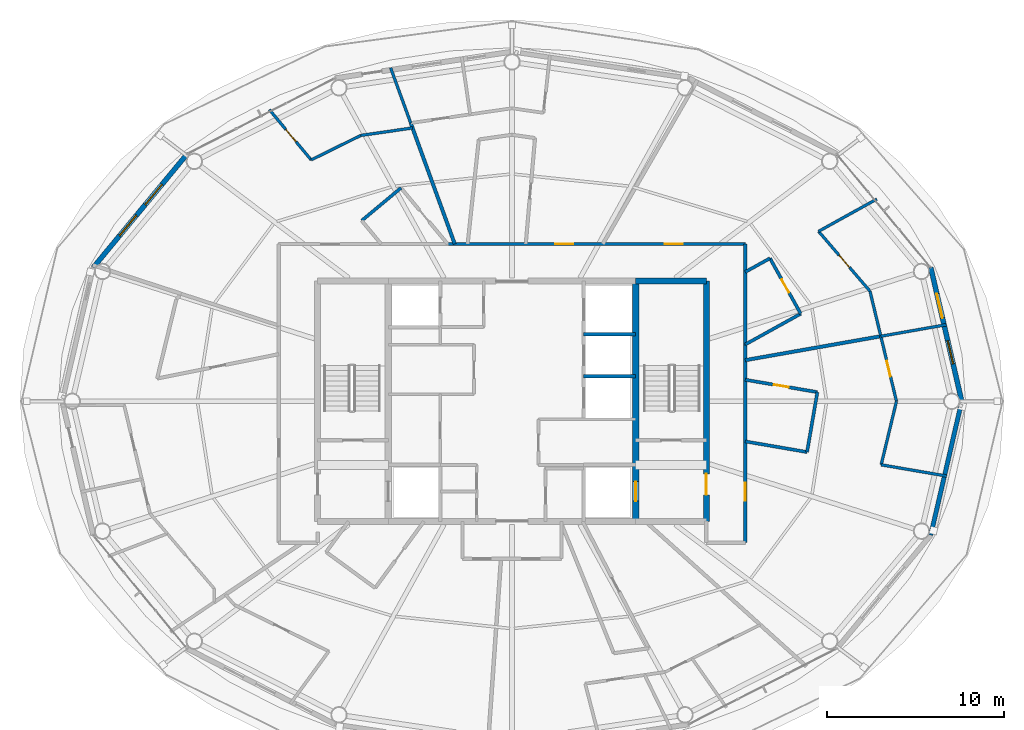
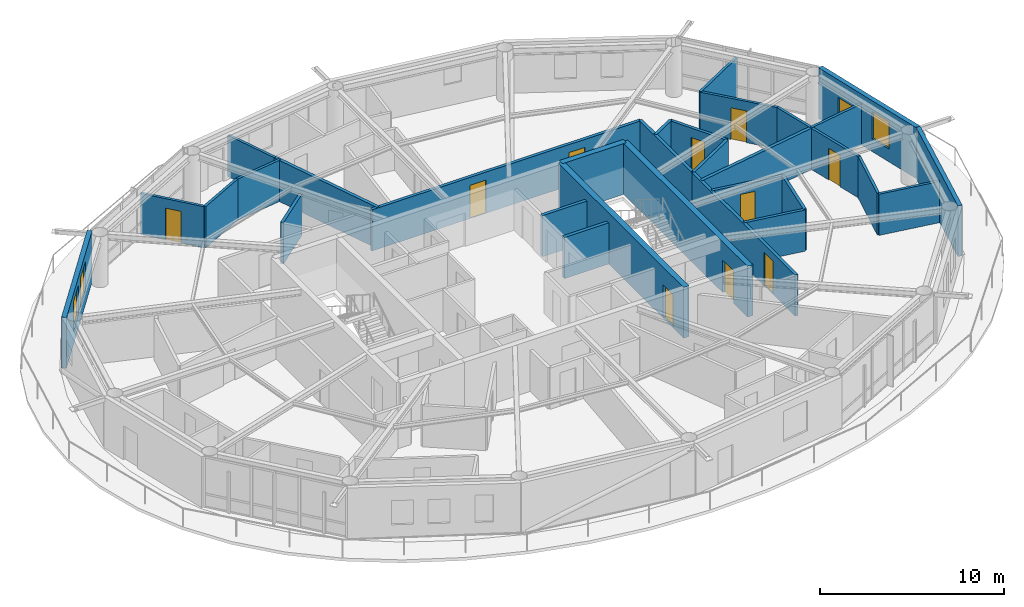
# One storey, part 18 of 22: 30 walls, 11 doors, 3 windows, 14 openings.
"""IFC4 building model written with IfcOpenShell, lengths in metres."""

from ifc_helpers import new_model, si_unit, direction, frame, frame_2d, origin, place, context, subcontext, project, spatial, rectangle, extrude, material, layer, layer_set, type_object, element, fill, save


model = new_model("IFC4")

# Units and contexts
model_context = context("Model", 3, precision=1e-05, world=origin(), true_north=direction((0.0, 1.0)))
body_context = subcontext(model_context, "Body", "Model", "MODEL_VIEW")
ifc_project = project(units=[si_unit("LENGTHUNIT", "METRE"), si_unit("AREAUNIT", "SQUARE_METRE"), si_unit("VOLUMEUNIT", "CUBIC_METRE"), si_unit("PLANEANGLEUNIT", "RADIAN"), si_unit("MASSUNIT", "GRAM", prefix="KILO")], contexts=[model_context])

# Site, building, storey
site_placement = place(None, origin())
site = spatial("IfcSite", under=ifc_project, at=site_placement, CompositionType="ELEMENT")
building_placement = place(site_placement, origin())
building = spatial("IfcBuilding", under=site, at=building_placement, Name="Sarneth Arch Tower", CompositionType="ELEMENT")
storey_placement = place(building_placement, frame((0.0, 0.0, 294.60009765625)))
storey = spatial("IfcBuildingStorey", under=building, at=storey_placement, Name="L76", CompositionType="ELEMENT", Elevation=294.60009765625)

# Wall
ifc_material_1 = material(Name="Concrete C50/60", Category="concrete")
ifc_layer_1 = layer(ifc_material_1, 0.35009765625)
ifc_layer_set_1 = layer_set([ifc_layer_1], Name="Concrete C50/60")
wall_type_1 = type_object("IfcWallType", Name="WALL-CORE-350", PredefinedType="SHEAR", material=ifc_layer_set_1)
wall_1_placement = place(storey_placement, frame((55.0, 48.800048828125, 0.0), z_axis=(0.0, 0.0, 1.0), x_axis=(1.0, 0.0, 0.0)))
element("IfcWall", 1, at=wall_1_placement, inside=storey, type_object=wall_type_1, Name="L76 Core shear wall N-E", PredefinedType="SHEAR", context=body_context, shape_type="SweptSolid", body=[
    extrude(rectangle(XDim=4.0, YDim=0.35009765625, at=frame_2d((2.0, 0.0))), origin(), (0.0, 0.0, 1.0), 3.369873046875),
])

# Wall, opening, door
wall_2_placement = place(storey_placement, frame((59.0, 35.199951171875, 0.0), z_axis=(0.0, 0.0, 1.0), x_axis=(0.0, 1.0, 0.0)))
wall_2 = element("IfcWall", 2, at=wall_2_placement, inside=storey, type_object=wall_type_1, Name="L76 Core shear wall E", PredefinedType="SHEAR", context=body_context, shape_type="SweptSolid", body=[
    extrude(rectangle(XDim=13.60009765625, YDim=0.35009765625, at=frame_2d((6.800048828125, 0.0))), origin(), (0.0, 0.0, 1.0), 3.369873046875),
])
opening_1_placement = place(wall_2_placement, frame((1.5, 0.0, 0.0)))
opening_1 = element("IfcOpeningElement", 3, at=opening_1_placement, cuts=wall_2, Name="Opening FD-02", PredefinedType="OPENING", context=body_context, shape_type="SweptSolid", body=[
    extrude(rectangle(XDim=1.199951171875, YDim=2.14990234375, at=frame_2d((0.60009765625, 1.074951171875))), frame((0.0, 0.18505859375, 0.0), z_axis=(0.0, -1.0, 0.0), x_axis=(1.0, 0.0, 0.0)), (0.0, 0.0, 1.0), 0.3701171875),
])
ifc_material_2 = material(Name="Galvanised Steel S275 fire door set", Category="steel")
door_type_1 = type_object("IfcDoorType", Name="DR-FD90-1200", OperationType="SINGLE_SWING_LEFT", PredefinedType="DOOR", material=ifc_material_2)
door_1_placement = place(opening_1_placement, origin())
door_1 = element("IfcDoor", 4, at=door_1_placement, inside=storey, type_object=door_type_1, Name="L76 Firefighting lobby 2 exit door", OperationType="SINGLE_SWING_RIGHT", OverallHeight=2.14990234375, OverallWidth=1.199951171875, PredefinedType="DOOR", context=body_context, shape_type="SweptSolid", body=[
    extrude(rectangle(XDim=1.199951171875, YDim=2.14990234375, at=frame_2d((0.60009765625, 1.074951171875))), frame((0.0, 0.02490234375, 0.0), z_axis=(0.0, -1.0, 0.0), x_axis=(1.0, 0.0, 0.0)), (0.0, 0.0, 1.0), 0.050048828125),
])
fill(opening_1, door_1)

wall_3_placement = place(storey_placement, frame((55.0, 35.199951171875, 0.0), z_axis=(0.0, 0.0, 1.0), x_axis=(0.0, 1.0, 0.0)))
wall_3 = element("IfcWall", 5, at=wall_3_placement, inside=storey, type_object=wall_type_1, Name="L76 Core shear wall WEB-E", PredefinedType="SHEAR", context=body_context, shape_type="SweptSolid", body=[
    extrude(rectangle(XDim=13.60009765625, YDim=0.35009765625, at=frame_2d((6.800048828125, 0.0))), origin(), (0.0, 0.0, 1.0), 3.369873046875),
])
opening_2_placement = place(wall_3_placement, frame((1.14990234375, 0.0, 0.0)))
opening_2 = element("IfcOpeningElement", 6, at=opening_2_placement, cuts=wall_3, Name="Opening LD-1", PredefinedType="OPENING", context=body_context, shape_type="SweptSolid", body=[
    extrude(rectangle(XDim=1.10009765625, YDim=2.199951171875, at=frame_2d((0.550048828125, 1.10009765625))), frame((0.0, 0.18505859375, 0.0), z_axis=(0.0, -1.0, 0.0), x_axis=(1.0, 0.0, 0.0)), (0.0, 0.0, 1.0), 0.3701171875),
])
ifc_material_3 = material(Name="Brushed Stainless Steel 304 lift landing door", Category="steel")
door_type_2 = type_object("IfcDoorType", Name="DR-LIFT-SLIDE-1100", OperationType="SLIDING_TO_LEFT", PredefinedType="DOOR", material=ifc_material_3)
door_2_placement = place(opening_2_placement, origin())
door_2 = element("IfcDoor", 7, at=door_2_placement, inside=storey, type_object=door_type_2, Name="L76 Firefighting lift landing door FL-2", OperationType="SLIDING_TO_RIGHT", OverallHeight=2.199951171875, OverallWidth=1.10009765625, PredefinedType="DOOR", context=body_context, shape_type="SweptSolid", body=[
    extrude(rectangle(XDim=1.10009765625, YDim=2.199951171875, at=frame_2d((0.550048828125, 1.10009765625))), frame((0.0, 0.02490234375, 0.0), z_axis=(0.0, -1.0, 0.0), x_axis=(1.0, 0.0, 0.0)), (0.0, 0.0, 1.0), 0.050048828125),
])
fill(opening_2, door_2)

# Wall, openings, doors
ifc_material_4 = material(Name="Double steel-stud corridor fire wall", Category="steel")
ifc_layer_2 = layer(ifc_material_4, 0.18994140625)
ifc_layer_set_2 = layer_set([ifc_layer_2], Name="Double steel-stud corridor fire wall")
wall_type_2 = type_object("IfcWallType", Name="WALL-CORR-190", PredefinedType="PARTITIONING", material=ifc_layer_set_2)
wall_4_placement = place(storey_placement, frame((44.3173828125, 50.89990234375, 0.0), z_axis=(0.0, 0.0, 1.0), x_axis=(1.0, 0.0, 0.0)))
wall_4 = element("IfcWall", 8, at=wall_4_placement, inside=storey, type_object=wall_type_2, Name="L76 Interior partition W-L76-TP-001", PredefinedType="PARTITIONING", context=body_context, shape_type="SweptSolid", body=[
    extrude(rectangle(XDim=16.882568359375, YDim=0.18994140625, at=frame_2d((8.44140625, 0.0))), origin(), (0.0, 0.0, 1.0), 2.72998046875),
])
opening_3_placement = place(wall_4_placement, frame((12.333251953125, 0.0, 0.0)))
opening_3 = element("IfcOpeningElement", 9, at=opening_3_placement, cuts=wall_4, Name="Opening FD-08", PredefinedType="OPENING", context=body_context, shape_type="SweptSolid", body=[
    extrude(rectangle(XDim=1.0, YDim=2.199951171875, at=frame_2d((0.5, 1.10009765625))), frame((0.0, 0.10498046875, 0.0), z_axis=(0.0, -1.0, 0.0), x_axis=(1.0, 0.0, 0.0)), (0.0, 0.0, 1.0), 0.2099609375),
])
opening_4_placement = place(wall_4_placement, frame((6.1435546875, 0.0, 0.0)))
opening_4 = element("IfcOpeningElement", 10, at=opening_4_placement, cuts=wall_4, Name="Opening FD-08", PredefinedType="OPENING", context=body_context, shape_type="SweptSolid", body=[
    extrude(rectangle(XDim=1.0, YDim=2.199951171875, at=frame_2d((0.5, 1.10009765625))), frame((0.0, 0.10498046875, 0.0), z_axis=(0.0, -1.0, 0.0), x_axis=(1.0, 0.0, 0.0)), (0.0, 0.0, 1.0), 0.2099609375),
])
ifc_material_5 = material(Name="Hardwood timber acoustic fire door", Category="wood")
door_type_3 = type_object("IfcDoorType", Name="DR-FD60-1000", OperationType="SINGLE_SWING_LEFT", PredefinedType="DOOR", material=ifc_material_5)
door_3_placement = place(opening_3_placement, origin())
door_3 = element("IfcDoor", 11, at=door_3_placement, inside=storey, type_object=door_type_3, Name="L76 Interior door DR-L76-U1-ENT", OperationType="SINGLE_SWING_LEFT", OverallHeight=2.199951171875, OverallWidth=1.0, PredefinedType="DOOR", context=body_context, shape_type="SweptSolid", body=[
    extrude(rectangle(XDim=1.0, YDim=2.199951171875, at=frame_2d((0.5, 1.10009765625))), frame((0.0, 0.02490234375, 0.0), z_axis=(0.0, -1.0, 0.0), x_axis=(1.0, 0.0, 0.0)), (0.0, 0.0, 1.0), 0.050048828125),
])
fill(opening_3, door_3)
door_4_placement = place(opening_4_placement, origin())
door_4 = element("IfcDoor", 12, at=door_4_placement, inside=storey, type_object=door_type_3, Name="L76 Interior door DR-L76-U2-ENT", OperationType="SINGLE_SWING_LEFT", OverallHeight=2.199951171875, OverallWidth=1.0, PredefinedType="DOOR", context=body_context, shape_type="SweptSolid", body=[
    extrude(rectangle(XDim=1.0, YDim=2.199951171875, at=frame_2d((0.5, 1.10009765625))), frame((0.0, 0.02490234375, 0.0), z_axis=(0.0, -1.0, 0.0), x_axis=(1.0, 0.0, 0.0)), (0.0, 0.0, 1.0), 0.050048828125),
])
fill(opening_4, door_4)

# Wall, opening, door
wall_5_placement = place(storey_placement, frame((61.199951171875, 45.251708984375, 0.0), z_axis=(0.0, 0.0, 1.0), x_axis=(0.0, -1.0, 0.0)))
wall_5 = element("IfcWall", 13, at=wall_5_placement, inside=storey, type_object=wall_type_2, Name="L76 Interior partition W-L76-TP-017", PredefinedType="PARTITIONING", context=body_context, shape_type="SweptSolid", body=[
    extrude(rectangle(XDim=11.251708984375, YDim=0.18994140625, at=frame_2d((5.6259765625, 0.0))), origin(), (0.0, 0.0, 1.0), 2.72998046875),
])
opening_5_placement = place(wall_5_placement, frame((7.870849609375, 0.0, 0.0)))
opening_5 = element("IfcOpeningElement", 14, at=opening_5_placement, cuts=wall_5, Name="Opening FD-08", PredefinedType="OPENING", context=body_context, shape_type="SweptSolid", body=[
    extrude(rectangle(XDim=1.0, YDim=2.199951171875, at=frame_2d((0.5, 1.10009765625))), frame((0.0, 0.10498046875, 0.0), z_axis=(0.0, -1.0, 0.0), x_axis=(1.0, 0.0, 0.0)), (0.0, 0.0, 1.0), 0.2099609375),
])
door_5_placement = place(opening_5_placement, origin())
door_5 = element("IfcDoor", 15, at=door_5_placement, inside=storey, type_object=door_type_3, Name="L76 Interior door DR-L76-U7-ENT", OperationType="SINGLE_SWING_LEFT", OverallHeight=2.199951171875, OverallWidth=1.0, PredefinedType="DOOR", context=body_context, shape_type="SweptSolid", body=[
    extrude(rectangle(XDim=1.0, YDim=2.199951171875, at=frame_2d((0.5, 1.10009765625))), frame((0.0, 0.02490234375, 0.0), z_axis=(0.0, -1.0, 0.0), x_axis=(1.0, 0.0, 0.0)), (0.0, 0.0, 1.0), 0.050048828125),
])
fill(opening_5, door_5)

# Walls
wall_6_placement = place(storey_placement, frame((61.199951171875, 50.89990234375, 0.0), z_axis=(0.0, 0.0, 1.0), x_axis=(0.0, -1.0, 0.0)))
element("IfcWall", 16, at=wall_6_placement, inside=storey, type_object=wall_type_2, Name="L76 Interior partition W-L76-TP-004", PredefinedType="PARTITIONING", context=body_context, shape_type="SweptSolid", body=[
    extrude(rectangle(XDim=5.72119140625, YDim=0.18994140625, at=frame_2d((2.860595703125, 0.0))), origin(), (0.0, 0.0, 1.0), 2.72998046875),
])
ifc_material_6 = material(Name="Extruded terracotta rainscreen on Concrete C40/50 backing", Category="masonry")
ifc_layer_3 = layer(ifc_material_6, 0.25)
ifc_layer_set_3 = layer_set([ifc_layer_3], Name="Extruded terracotta rainscreen on Concrete C40/50 backing")
wall_type_3 = type_object("IfcWallType", Name="WALL-EXT-SPAND-250", PredefinedType="SOLIDWALL", material=ifc_layer_set_3)
wall_7_placement = place(storey_placement, frame((71.69384765625, 34.430419921875, 0.0), z_axis=(0.0, 0.0, 1.0), x_axis=(0.225635078214, 0.974211892495, 0.0)))
element("IfcWall", 17, at=wall_7_placement, inside=storey, type_object=wall_type_3, Name="L76 Terracotta perimeter wall 16", PredefinedType="SOLIDWALL", context=body_context, shape_type="SweptSolid", body=[
    extrude(rectangle(XDim=7.77001953125, YDim=0.25, at=frame_2d((3.885009765625, 0.0))), origin(), (0.0, 0.0, 1.0), 3.369873046875),
])

# Wall, openings, door, window
ifc_material_7 = material(Name="Extruded terracotta rainscreen on Concrete C40/50 backing", Category="masonry")
ifc_layer_4 = layer(ifc_material_7, 0.280029296875)
ifc_layer_set_4 = layer_set([ifc_layer_4], Name="Extruded terracotta rainscreen on Concrete C40/50 backing")
wall_type_4 = type_object("IfcWallType", Name="WALL-EXT-TERRA-280", PredefinedType="SOLIDWALL", material=ifc_layer_set_4)
wall_8_placement = place(storey_placement, frame((73.447021484375, 42.0, 0.0), z_axis=(0.0, 0.0, 1.0), x_axis=(-0.225635078214, 0.974211892495, 0.0)))
wall_8 = element("IfcWall", 18, at=wall_8_placement, inside=storey, type_object=wall_type_4, Name="L76 Terracotta perimeter wall 01", PredefinedType="SOLIDWALL", context=body_context, shape_type="SweptSolid", body=[
    extrude(rectangle(XDim=7.77001953125, YDim=0.280029296875, at=frame_2d((3.885009765625, 0.0))), origin(), (0.0, 0.0, 1.0), 3.369873046875),
])
opening_6_placement = place(wall_8_placement, frame((2.1728515625, 0.0, 0.85009765625)))
opening_6 = element("IfcOpeningElement", 19, at=opening_6_placement, cuts=wall_8, Name="Opening W-08", PredefinedType="OPENING", context=body_context, shape_type="SweptSolid", body=[
    extrude(rectangle(XDim=1.35009765625, YDim=1.800048828125, at=frame_2d((0.675048828125, 0.89990234375))), frame((0.0, 0.14990234375, 0.0), z_axis=(0.0, -1.0, 0.0), x_axis=(1.0, 0.0, 0.0)), (0.0, 0.0, 1.0), 0.300048828125),
])
opening_7_placement = place(wall_8_placement, frame((4.842041015625, 0.0, 0.0)))
opening_7 = element("IfcOpeningElement", 20, at=opening_7_placement, cuts=wall_8, Name="Opening BD-2", PredefinedType="OPENING", context=body_context, shape_type="SweptSolid", body=[
    extrude(rectangle(XDim=1.39990234375, YDim=2.199951171875, at=frame_2d((0.699951171875, 1.10009765625))), frame((0.0, 0.14990234375, 0.0), z_axis=(0.0, -1.0, 0.0), x_axis=(1.0, 0.0, 0.0)), (0.0, 0.0, 1.0), 0.300048828125),
])
ifc_material_8 = material(Name="Thermally broken Aluminium 6063-T6 and laminated safety glass", Category="aluminium")
door_type_4 = type_object("IfcDoorType", Name="DR-BALC-GLZ-1400", OperationType="SINGLE_SWING_LEFT", PredefinedType="DOOR", material=ifc_material_8)
door_6_placement = place(opening_7_placement, origin())
door_6 = element("IfcDoor", 21, at=door_6_placement, inside=storey, type_object=door_type_4, Name="L76 Balcony glazed door 01", OperationType="SINGLE_SWING_LEFT", OverallHeight=2.199951171875, OverallWidth=1.39990234375, PredefinedType="DOOR", context=body_context, shape_type="SweptSolid", body=[
    extrude(rectangle(XDim=1.39990234375, YDim=2.199951171875, at=frame_2d((0.699951171875, 1.10009765625))), frame((0.0, 0.02490234375, 0.0), z_axis=(0.0, -1.0, 0.0), x_axis=(1.0, 0.0, 0.0)), (0.0, 0.0, 1.0), 0.050048828125),
])
fill(opening_7, door_6)
ifc_material_9 = material(Name="Thermally broken Aluminium 6063-T6 and low-e laminated IGU", Category="aluminium")
window_type_1 = type_object("IfcWindowType", Name="WIN-TWR-1350x1800", PartitioningType="SINGLE_PANEL", PredefinedType="WINDOW", material=ifc_material_9)
window_1_placement = place(opening_6_placement, origin())
window_1 = element("IfcWindow", 22, at=window_1_placement, inside=storey, type_object=window_type_1, Name="L76 Exterior window 01A", OverallHeight=1.800048828125, OverallWidth=1.35009765625, PartitioningType="SINGLE_PANEL", PredefinedType="WINDOW", context=body_context, shape_type="SweptSolid", body=[
    extrude(rectangle(XDim=1.35009765625, YDim=1.800048828125, at=frame_2d((0.675048828125, 0.89990234375))), frame((0.0, 0.030029296875, 0.0), z_axis=(0.0, -1.0, 0.0), x_axis=(1.0, 0.0, 0.0)), (0.0, 0.0, 1.0), 0.06005859375),
])
fill(opening_6, window_1)

# Wall, openings, windows
wall_9_placement = place(storey_placement, frame((29.617431640625, 55.986572265625, 0.0), z_axis=(0.0, 0.0, 1.0), x_axis=(-0.63761509934, -0.770355103243, 0.0)))
wall_9 = element("IfcWall", 23, at=wall_9_placement, inside=storey, type_object=wall_type_4, Name="L76 Terracotta perimeter wall 07", PredefinedType="SOLIDWALL", context=body_context, shape_type="SweptSolid", body=[
    extrude(rectangle(XDim=8.329833984375, YDim=0.280029296875, at=frame_2d((4.1650390625, 0.0))), origin(), (0.0, 0.0, 1.0), 3.369873046875),
])
opening_8_placement = place(wall_9_placement, frame((2.226318359375, 0.0, 0.85009765625)))
opening_8 = element("IfcOpeningElement", 24, at=opening_8_placement, cuts=wall_9, Name="Opening W-06", PredefinedType="OPENING", context=body_context, shape_type="SweptSolid", body=[
    extrude(rectangle(XDim=1.5, YDim=2.0, at=frame_2d((0.75, 1.0))), frame((0.0, 0.14990234375, 0.0), z_axis=(0.0, -1.0, 0.0), x_axis=(1.0, 0.0, 0.0)), (0.0, 0.0, 1.0), 0.300048828125),
])
opening_9_placement = place(wall_9_placement, frame((4.496337890625, 0.0, 0.85009765625)))
opening_9 = element("IfcOpeningElement", 25, at=opening_9_placement, cuts=wall_9, Name="Opening W-06", PredefinedType="OPENING", context=body_context, shape_type="SweptSolid", body=[
    extrude(rectangle(XDim=1.5, YDim=2.0, at=frame_2d((0.75, 1.0))), frame((0.0, 0.14990234375, 0.0), z_axis=(0.0, -1.0, 0.0), x_axis=(1.0, 0.0, 0.0)), (0.0, 0.0, 1.0), 0.300048828125),
])
ifc_material_10 = material(Name="Thermally broken Aluminium 6063-T6 and low-e laminated IGU", Category="aluminium")
window_type_2 = type_object("IfcWindowType", Name="WIN-TWR-1500x2000", PartitioningType="SINGLE_PANEL", PredefinedType="WINDOW", material=ifc_material_10)
window_2_placement = place(opening_8_placement, origin())
window_2 = element("IfcWindow", 26, at=window_2_placement, inside=storey, type_object=window_type_2, Name="L76 Exterior window 07A", OverallHeight=2.0, OverallWidth=1.5, PartitioningType="SINGLE_PANEL", PredefinedType="WINDOW", context=body_context, shape_type="SweptSolid", body=[
    extrude(rectangle(XDim=1.5, YDim=2.0, at=frame_2d((0.75, 1.0))), frame((0.0, 0.030029296875, 0.0), z_axis=(0.0, -1.0, 0.0), x_axis=(1.0, 0.0, 0.0)), (0.0, 0.0, 1.0), 0.06005859375),
])
fill(opening_8, window_2)
window_3_placement = place(opening_9_placement, origin())
window_3 = element("IfcWindow", 27, at=window_3_placement, inside=storey, type_object=window_type_2, Name="L76 Exterior window 07B", OverallHeight=2.0, OverallWidth=1.5, PartitioningType="SINGLE_PANEL", PredefinedType="WINDOW", context=body_context, shape_type="SweptSolid", body=[
    extrude(rectangle(XDim=1.5, YDim=2.0, at=frame_2d((0.75, 1.0))), frame((0.0, 0.030029296875, 0.0), z_axis=(0.0, -1.0, 0.0), x_axis=(1.0, 0.0, 0.0)), (0.0, 0.0, 1.0), 0.06005859375),
])
fill(opening_9, window_3)

# Wall, opening, door
ifc_material_11 = material(Name="Kitchen wet service chase wall", Category="gypsum")
ifc_layer_5 = layer(ifc_material_11, 0.159912109375)
ifc_layer_set_5 = layer_set([ifc_layer_5], Name="Kitchen wet service chase wall")
wall_type_5 = type_object("IfcWallType", Name="WALL-PLUMB-160", PredefinedType="PLUMBINGWALL", material=ifc_layer_set_5)
wall_10_placement = place(storey_placement, frame((68.254638671875, 48.22998046875, 0.0), z_axis=(0.0, 0.0, 1.0), x_axis=(-0.651876369693, 0.758325259131, 0.0)))
wall_10 = element("IfcWall", 28, at=wall_10_placement, inside=storey, type_object=wall_type_5, Name="L76 Interior partition W-L76-TP-031", PredefinedType="PLUMBINGWALL", context=body_context, shape_type="SweptSolid", body=[
    extrude(rectangle(XDim=4.463134765625, YDim=0.159912109375, at=frame_2d((2.2314453125, 0.0))), origin(), (0.0, 0.0, 1.0), 2.72998046875),
])
opening_10_placement = place(wall_10_placement, frame((1.781494140625, 0.0, 0.0)))
opening_10 = element("IfcOpeningElement", 29, at=opening_10_placement, cuts=wall_10, Name="Opening ID-01", PredefinedType="OPENING", context=body_context, shape_type="SweptSolid", body=[
    extrude(rectangle(XDim=0.89990234375, YDim=2.10009765625, at=frame_2d((0.449951171875, 1.050048828125))), frame((0.0, 0.08984375, 0.0), z_axis=(0.0, -1.0, 0.0), x_axis=(1.0, 0.0, 0.0)), (0.0, 0.0, 1.0), 0.179931640625),
])
ifc_material_12 = material(Name="Engineered hardwood flush door", Category="wood")
door_type_5 = type_object("IfcDoorType", Name="DR-INT-900", OperationType="SINGLE_SWING_LEFT", PredefinedType="DOOR", material=ifc_material_12)
door_7_placement = place(opening_10_placement, origin())
door_7 = element("IfcDoor", 30, at=door_7_placement, inside=storey, type_object=door_type_5, Name="L76 Interior door DR-L76-U1-KIT", OperationType="SINGLE_SWING_RIGHT", OverallHeight=2.10009765625, OverallWidth=0.89990234375, PredefinedType="DOOR", context=body_context, shape_type="SweptSolid", body=[
    extrude(rectangle(XDim=0.89990234375, YDim=2.10009765625, at=frame_2d((0.449951171875, 1.050048828125))), frame((0.0, 0.02490234375, 0.0), z_axis=(0.0, -1.0, 0.0), x_axis=(1.0, 0.0, 0.0)), (0.0, 0.0, 1.0), 0.050048828125),
])
fill(opening_10, door_7)

wall_11_placement = place(storey_placement, frame((69.75341796875, 42.0, 0.0), z_axis=(0.0, 0.0, 1.0), x_axis=(-0.233901777694, 0.972260231827, 0.0)))
wall_11 = element("IfcWall", 31, at=wall_11_placement, inside=storey, type_object=wall_type_5, Name="L76 Interior partition W-L76-TP-094", PredefinedType="PLUMBINGWALL", context=body_context, shape_type="SweptSolid", body=[
    extrude(rectangle(XDim=6.40771484375, YDim=0.159912109375, at=frame_2d((3.203857421875, 0.0))), origin(), (0.0, 0.0, 1.0), 2.72998046875),
])
opening_11_placement = place(wall_11_placement, frame((1.4423828125, 0.0, 0.0)))
opening_11 = element("IfcOpeningElement", 32, at=opening_11_placement, cuts=wall_11, Name="Opening ID-01", PredefinedType="OPENING", context=body_context, shape_type="SweptSolid", body=[
    extrude(rectangle(XDim=0.89990234375, YDim=2.10009765625, at=frame_2d((0.449951171875, 1.050048828125))), frame((0.0, 0.08984375, 0.0), z_axis=(0.0, -1.0, 0.0), x_axis=(1.0, 0.0, 0.0)), (0.0, 0.0, 1.0), 0.179931640625),
])
door_8_placement = place(opening_11_placement, origin())
door_8 = element("IfcDoor", 33, at=door_8_placement, inside=storey, type_object=door_type_5, Name="L76 Interior door DR-L76-U7-KIT", OperationType="SINGLE_SWING_RIGHT", OverallHeight=2.10009765625, OverallWidth=0.89990234375, PredefinedType="DOOR", context=body_context, shape_type="SweptSolid", body=[
    extrude(rectangle(XDim=0.89990234375, YDim=2.10009765625, at=frame_2d((0.449951171875, 1.050048828125))), frame((0.0, 0.02490234375, 0.0), z_axis=(0.0, -1.0, 0.0), x_axis=(1.0, 0.0, 0.0)), (0.0, 0.0, 1.0), 0.050048828125),
])
fill(opening_11, door_8)

# Walls
wall_12_placement = place(storey_placement, frame((65.34521484375, 51.614501953125, 0.0), z_axis=(0.0, 0.0, 1.0), x_axis=(0.874615178745, 0.484817789596, 0.0)))
element("IfcWall", 34, at=wall_12_placement, inside=storey, type_object=wall_type_5, Name="L76 Interior partition W-L76-TP-032", PredefinedType="PLUMBINGWALL", context=body_context, shape_type="SweptSolid", body=[
    extrude(rectangle(XDim=3.769287109375, YDim=0.159912109375, at=frame_2d((1.884765625, 0.0))), origin(), (0.0, 0.0, 1.0), 2.72998046875),
])
wall_13_placement = place(storey_placement, frame((72.59033203125, 37.770263671875, 0.0), z_axis=(0.0, 0.0, 1.0), x_axis=(-0.985535831404, 0.169467179769, 0.0)))
element("IfcWall", 35, at=wall_13_placement, inside=storey, type_object=wall_type_5, Name="L76 Interior partition W-L76-TP-092", PredefinedType="PLUMBINGWALL", context=body_context, shape_type="SweptSolid", body=[
    extrude(rectangle(XDim=3.755859375, YDim=0.159912109375, at=frame_2d((1.8779296875, 0.0))), origin(), (0.0, 0.0, 1.0), 2.72998046875),
])
wall_14_placement = place(storey_placement, frame((68.8681640625, 45.6796875, 0.0), z_axis=(0.0, 0.0, 1.0), x_axis=(0.984809725457, 0.173636991003, 0.0)))
element("IfcWall", 36, at=wall_14_placement, inside=storey, type_object=wall_type_5, Name="L76 Interior partition W-L76-TP-035", PredefinedType="PLUMBINGWALL", context=body_context, shape_type="SweptSolid", body=[
    extrude(rectangle(XDim=3.755615234375, YDim=0.159912109375, at=frame_2d((1.8779296875, 0.0))), origin(), (0.0, 0.0, 1.0), 2.72998046875),
])

# Wall, opening, door
wall_15_placement = place(storey_placement, frame((34.270751953125, 58.501708984375, 0.0), z_axis=(0.0, 0.0, 1.0), x_axis=(0.639580550632, -0.768724085257, 0.0)))
wall_15 = element("IfcWall", 37, at=wall_15_placement, inside=storey, type_object=wall_type_5, Name="L76 Interior partition W-L76-TP-051", PredefinedType="PLUMBINGWALL", context=body_context, shape_type="SweptSolid", body=[
    extrude(rectangle(XDim=3.69970703125, YDim=0.159912109375, at=frame_2d((1.849853515625, 0.0))), origin(), (0.0, 0.0, 1.0), 2.72998046875),
])
opening_12_placement = place(wall_15_placement, frame((1.459716796875, 0.0, 0.0)))
opening_12 = element("IfcOpeningElement", 38, at=opening_12_placement, cuts=wall_15, Name="Opening ID-01", PredefinedType="OPENING", context=body_context, shape_type="SweptSolid", body=[
    extrude(rectangle(XDim=0.89990234375, YDim=2.10009765625, at=frame_2d((0.449951171875, 1.050048828125))), frame((0.0, 0.08984375, 0.0), z_axis=(0.0, -1.0, 0.0), x_axis=(1.0, 0.0, 0.0)), (0.0, 0.0, 1.0), 0.179931640625),
])
door_9_placement = place(opening_12_placement, origin())
door_9 = element("IfcDoor", 39, at=door_9_placement, inside=storey, type_object=door_type_5, Name="L76 Interior door DR-L76-U3-KIT", OperationType="SINGLE_SWING_LEFT", OverallHeight=2.10009765625, OverallWidth=0.89990234375, PredefinedType="DOOR", context=body_context, shape_type="SweptSolid", body=[
    extrude(rectangle(XDim=0.89990234375, YDim=2.10009765625, at=frame_2d((0.449951171875, 1.050048828125))), frame((0.0, 0.02490234375, 0.0), z_axis=(0.0, -1.0, 0.0), x_axis=(1.0, 0.0, 0.0)), (0.0, 0.0, 1.0), 0.050048828125),
])
fill(opening_12, door_9)

# Walls
wall_16_placement = place(storey_placement, frame((68.888916015625, 38.40673828125, 0.0), z_axis=(0.0, 0.0, 1.0), x_axis=(0.233915080076, 0.972257031506, 0.0)))
element("IfcWall", 40, at=wall_16_placement, inside=storey, type_object=wall_type_5, Name="L76 Interior partition W-L76-TP-093", PredefinedType="PLUMBINGWALL", context=body_context, shape_type="SweptSolid", body=[
    extrude(rectangle(XDim=3.69580078125, YDim=0.159912109375, at=frame_2d((1.847900390625, 0.0))), origin(), (0.0, 0.0, 1.0), 2.72998046875),
])
wall_17_placement = place(storey_placement, frame((42.26953125, 57.744384765625, 0.0), z_axis=(0.0, 0.0, 1.0), x_axis=(-0.341990855898, 0.939703280021, 0.0)))
element("IfcWall", 41, at=wall_17_placement, inside=storey, type_object=wall_type_5, Name="L76 Interior partition W-L76-TP-047", PredefinedType="PLUMBINGWALL", context=body_context, shape_type="SweptSolid", body=[
    extrude(rectangle(XDim=3.322509765625, YDim=0.159912109375, at=frame_2d((1.6611328125, 0.0))), origin(), (0.0, 0.0, 1.0), 2.72998046875),
])
wall_18_placement = place(storey_placement, frame((36.636962890625, 55.65771484375, 0.0), z_axis=(0.0, 0.0, 1.0), x_axis=(0.896819517678, 0.442396601153, 0.0)))
element("IfcWall", 42, at=wall_18_placement, inside=storey, type_object=wall_type_5, Name="L76 Interior partition W-L76-TP-052", PredefinedType="PLUMBINGWALL", context=body_context, shape_type="SweptSolid", body=[
    extrude(rectangle(XDim=3.126220703125, YDim=0.159912109375, at=frame_2d((1.56298828125, 0.0))), origin(), (0.0, 0.0, 1.0), 2.72998046875),
])
wall_19_placement = place(storey_placement, frame((39.440673828125, 57.040771484375, 0.0), z_axis=(0.0, 0.0, 1.0), x_axis=(0.989678909965, 0.143302669793, 0.0)))
element("IfcWall", 43, at=wall_19_placement, inside=storey, type_object=wall_type_5, Name="L76 Interior partition W-L76-TP-053", PredefinedType="PLUMBINGWALL", context=body_context, shape_type="SweptSolid", body=[
    extrude(rectangle(XDim=2.9609375, YDim=0.159912109375, at=frame_2d((1.48046875, 0.0))), origin(), (0.0, 0.0, 1.0), 2.72998046875),
])

# Wall, opening, door
ifc_material_13 = material(Name="Moisture-resistant plumbing chase wall", Category="gypsum")
ifc_layer_6 = layer(ifc_material_13, 0.179931640625)
ifc_layer_set_6 = layer_set([ifc_layer_6], Name="Moisture-resistant plumbing chase wall")
wall_type_6 = type_object("IfcWallType", Name="WALL-PLUMB-180", PredefinedType="PLUMBINGWALL", material=ifc_layer_set_6)
wall_20_placement = place(storey_placement, frame((61.199951171875, 43.21875, 0.0), z_axis=(0.0, 0.0, 1.0), x_axis=(0.985525793949, -0.169525542211, 0.0)))
wall_20 = element("IfcWall", 44, at=wall_20_placement, inside=storey, type_object=wall_type_6, Name="L76 Interior partition W-L76-TP-089", PredefinedType="PLUMBINGWALL", context=body_context, shape_type="SweptSolid", body=[
    extrude(rectangle(XDim=4.137451171875, YDim=0.179931640625, at=frame_2d((2.06884765625, 0.0))), origin(), (0.0, 0.0, 1.0), 2.72998046875),
])
opening_13_placement = place(wall_20_placement, frame((1.643798828125, 0.0, 0.0)))
opening_13 = element("IfcOpeningElement", 45, at=opening_13_placement, cuts=wall_20, Name="Opening ID-02", PredefinedType="OPENING", context=body_context, shape_type="SweptSolid", body=[
    extrude(rectangle(XDim=0.85009765625, YDim=2.10009765625, at=frame_2d((0.425048828125, 1.050048828125))), frame((0.0, 0.099853515625, 0.0), z_axis=(0.0, -1.0, 0.0), x_axis=(1.0, 0.0, 0.0)), (0.0, 0.0, 1.0), 0.199951171875),
])
ifc_material_14 = material(Name="Moisture-resistant bathroom timber door", Category="wood")
door_type_6 = type_object("IfcDoorType", Name="DR-INT-850", OperationType="SINGLE_SWING_RIGHT", PredefinedType="DOOR", material=ifc_material_14)
door_10_placement = place(opening_13_placement, origin())
door_10 = element("IfcDoor", 46, at=door_10_placement, inside=storey, type_object=door_type_6, Name="L76 Interior door DR-L76-U7-BATH", OperationType="SINGLE_SWING_LEFT", OverallHeight=2.10009765625, OverallWidth=0.85009765625, PredefinedType="DOOR", context=body_context, shape_type="SweptSolid", body=[
    extrude(rectangle(XDim=0.85009765625, YDim=2.10009765625, at=frame_2d((0.425048828125, 1.050048828125))), frame((0.0, 0.02490234375, 0.0), z_axis=(0.0, -1.0, 0.0), x_axis=(1.0, 0.0, 0.0)), (0.0, 0.0, 1.0), 0.050048828125),
])
fill(opening_13, door_10)

wall_21_placement = place(storey_placement, frame((64.3359375, 46.95361328125, 0.0), z_axis=(0.0, 0.0, 1.0), x_axis=(-0.484839522757, 0.874603131239, 0.0)))
wall_21 = element("IfcWall", 47, at=wall_21_placement, inside=storey, type_object=wall_type_6, Name="L76 Interior partition W-L76-TP-028", PredefinedType="PLUMBINGWALL", context=body_context, shape_type="SweptSolid", body=[
    extrude(rectangle(XDim=3.58740234375, YDim=0.179931640625, at=frame_2d((1.793701171875, 0.0))), origin(), (0.0, 0.0, 1.0), 2.72998046875),
])
opening_14_placement = place(wall_21_placement, frame((1.36865234375, 0.0, 0.0)))
opening_14 = element("IfcOpeningElement", 48, at=opening_14_placement, cuts=wall_21, Name="Opening ID-02", PredefinedType="OPENING", context=body_context, shape_type="SweptSolid", body=[
    extrude(rectangle(XDim=0.85009765625, YDim=2.10009765625, at=frame_2d((0.425048828125, 1.050048828125))), frame((0.0, 0.099853515625, 0.0), z_axis=(0.0, -1.0, 0.0), x_axis=(1.0, 0.0, 0.0)), (0.0, 0.0, 1.0), 0.199951171875),
])
door_11_placement = place(opening_14_placement, origin())
door_11 = element("IfcDoor", 49, at=door_11_placement, inside=storey, type_object=door_type_6, Name="L76 Interior door DR-L76-U1-BATH", OperationType="SINGLE_SWING_LEFT", OverallHeight=2.10009765625, OverallWidth=0.85009765625, PredefinedType="DOOR", context=body_context, shape_type="SweptSolid", body=[
    extrude(rectangle(XDim=0.85009765625, YDim=2.10009765625, at=frame_2d((0.425048828125, 1.050048828125))), frame((0.0, 0.02490234375, 0.0), z_axis=(0.0, -1.0, 0.0), x_axis=(1.0, 0.0, 0.0)), (0.0, 0.0, 1.0), 0.050048828125),
])
fill(opening_14, door_11)

# Walls
wall_22_placement = place(storey_placement, frame((61.199951171875, 45.215087890625, 0.0), z_axis=(0.0, 0.0, 1.0), x_axis=(0.87459371517, 0.484856508036, 0.0)))
element("IfcWall", 50, at=wall_22_placement, inside=storey, type_object=wall_type_6, Name="L76 Interior partition W-L76-TP-027", PredefinedType="PLUMBINGWALL", context=body_context, shape_type="SweptSolid", body=[
    extrude(rectangle(XDim=3.585693359375, YDim=0.179931640625, at=frame_2d((1.79296875, 0.0))), origin(), (0.0, 0.0, 1.0), 2.72998046875),
])
wall_23_placement = place(storey_placement, frame((64.694580078125, 39.12841796875, 0.0), z_axis=(0.0, 0.0, 1.0), x_axis=(-0.98552840959, 0.169510335644, 0.0)))
element("IfcWall", 51, at=wall_23_placement, inside=storey, type_object=wall_type_6, Name="L76 Interior partition W-L76-TP-091", PredefinedType="PLUMBINGWALL", context=body_context, shape_type="SweptSolid", body=[
    extrude(rectangle(XDim=3.5458984375, YDim=0.179931640625, at=frame_2d((1.77294921875, 0.0))), origin(), (0.0, 0.0, 1.0), 2.72998046875),
])
wall_24_placement = place(storey_placement, frame((65.277587890625, 42.517333984375, 0.0), z_axis=(0.0, 0.0, 1.0), x_axis=(-0.169543142836, -0.98552276621, 0.0)))
element("IfcWall", 52, at=wall_24_placement, inside=storey, type_object=wall_type_6, Name="L76 Interior partition W-L76-TP-090", PredefinedType="PLUMBINGWALL", context=body_context, shape_type="SweptSolid", body=[
    extrude(rectangle(XDim=3.438720703125, YDim=0.179931640625, at=frame_2d((1.71923828125, 0.0))), origin(), (0.0, 0.0, 1.0), 2.72998046875),
])
wall_25_placement = place(storey_placement, frame((39.495849609375, 52.221435546875, 0.0), z_axis=(0.0, 0.0, 1.0), x_axis=(0.768705209598, 0.639603236965, 0.0)))
element("IfcWall", 53, at=wall_25_placement, inside=storey, type_object=wall_type_6, Name="L76 Interior partition W-L76-TP-049", PredefinedType="PLUMBINGWALL", context=body_context, shape_type="SweptSolid", body=[
    extrude(rectangle(XDim=2.893310546875, YDim=0.179931640625, at=frame_2d((1.44677734375, 0.0))), origin(), (0.0, 0.0, 1.0), 2.72998046875),
])
wall_26_placement = place(storey_placement, frame((62.5966796875, 50.091064453125, 0.0), z_axis=(0.0, 0.0, 1.0), x_axis=(-0.874632806928, -0.48478598685, 0.0)))
element("IfcWall", 54, at=wall_26_placement, inside=storey, type_object=wall_type_6, Name="L76 Interior partition W-L76-TP-029", PredefinedType="PLUMBINGWALL", context=body_context, shape_type="SweptSolid", body=[
    extrude(rectangle(XDim=1.596923828125, YDim=0.179931640625, at=frame_2d((0.79833984375, 0.0))), origin(), (0.0, 0.0, 1.0), 2.72998046875),
])
ifc_material_15 = material(Name="Aerated concrete blockwork C25/30", Category="masonry")
ifc_layer_7 = layer(ifc_material_15, 0.199951171875)
ifc_layer_set_7 = layer_set([ifc_layer_7], Name="Aerated concrete blockwork C25/30")
wall_type_7 = type_object("IfcWallType", Name="WALL-SHAFT-200", PredefinedType="SOLIDWALL", material=ifc_layer_set_7)
for number, where, z_axis, x_axis, name in (
    (55, (52.050048828125, 43.419921875, 0.0), (0.0, 0.0, 1.0), (1.0, 0.0, 0.0), "L76 Interior partition W-L76-EB-DIV-4342"),
    (56, (52.050048828125, 45.800048828125, 0.0), (0.0, 0.0, 1.0), (1.0, 0.0, 0.0), "L76 Interior partition W-L76-EB-DIV-4580"),
):
    element("IfcWall", number, at=place(storey_placement, frame(where, z_axis=z_axis, x_axis=x_axis)), inside=storey, type_object=wall_type_7, Name=name, PredefinedType="SOLIDWALL", context=body_context, shape_type="SweptSolid", body=[
        extrude(rectangle(XDim=2.949951171875, YDim=0.199951171875, at=frame_2d((1.47509765625, 0.0))), origin(), (0.0, 0.0, 1.0), 2.72998046875),
    ])
ifc_material_16 = material(Name="Double steel-stud acoustic drywall", Category="steel")
ifc_layer_8 = layer(ifc_material_16, 0.199951171875)
ifc_layer_set_8 = layer_set([ifc_layer_8], Name="Double steel-stud acoustic drywall")
wall_type_8 = type_object("IfcWallType", Name="WALL-UNIT-200", PredefinedType="PARTITIONING", material=ifc_layer_set_8)
wall_27_placement = place(storey_placement, frame((68.8681640625, 45.6796875, 0.0), z_axis=(0.0, 0.0, 1.0), x_axis=(-0.984803753522, -0.173670858377, 0.0)))
element("IfcWall", 57, at=wall_27_placement, inside=storey, type_object=wall_type_8, Name="L76 Interior partition W-L76-TP-034", PredefinedType="PARTITIONING", context=body_context, shape_type="SweptSolid", body=[
    extrude(rectangle(XDim=7.78662109375, YDim=0.199951171875, at=frame_2d((3.893310546875, 0.0))), origin(), (0.0, 0.0, 1.0), 2.72998046875),
])
wall_28_placement = place(storey_placement, frame((42.26953125, 57.744384765625, 0.0), z_axis=(0.0, 0.0, 1.0), x_axis=(0.342022939774, -0.939691602957, 0.0)))
element("IfcWall", 58, at=wall_28_placement, inside=storey, type_object=wall_type_8, Name="L76 Interior partition W-L76-TP-044", PredefinedType="PARTITIONING", context=body_context, shape_type="SweptSolid", body=[
    extrude(rectangle(XDim=7.28369140625, YDim=0.199951171875, at=frame_2d((3.641845703125, 0.0))), origin(), (0.0, 0.0, 1.0), 2.72998046875),
])

save(model, "model.ifc")
